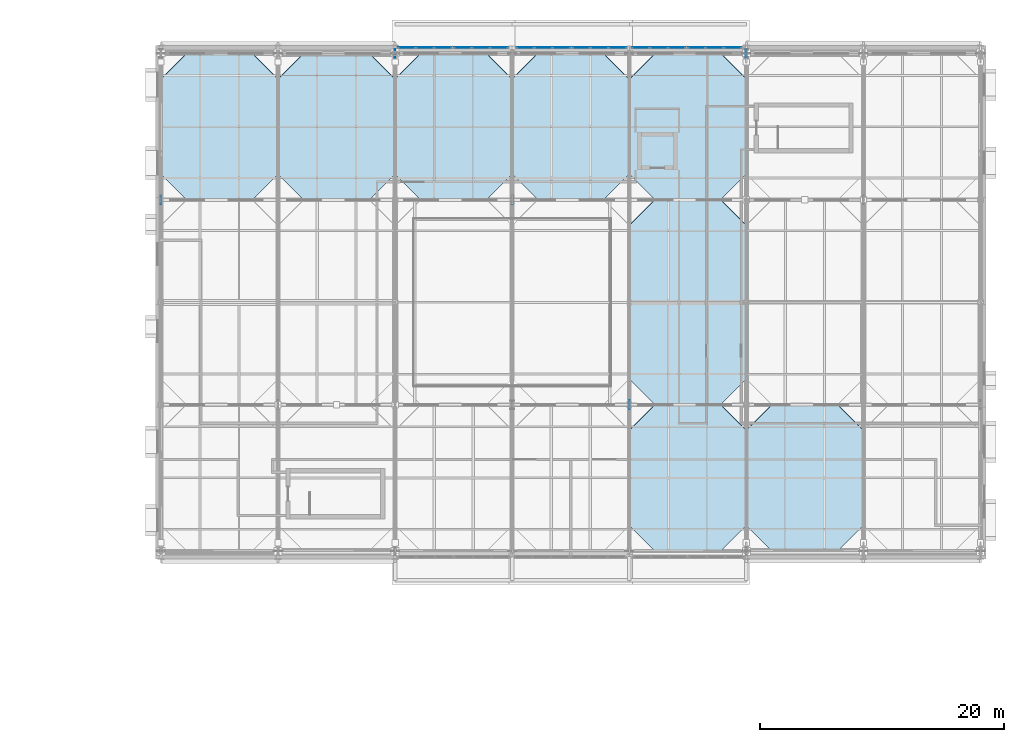
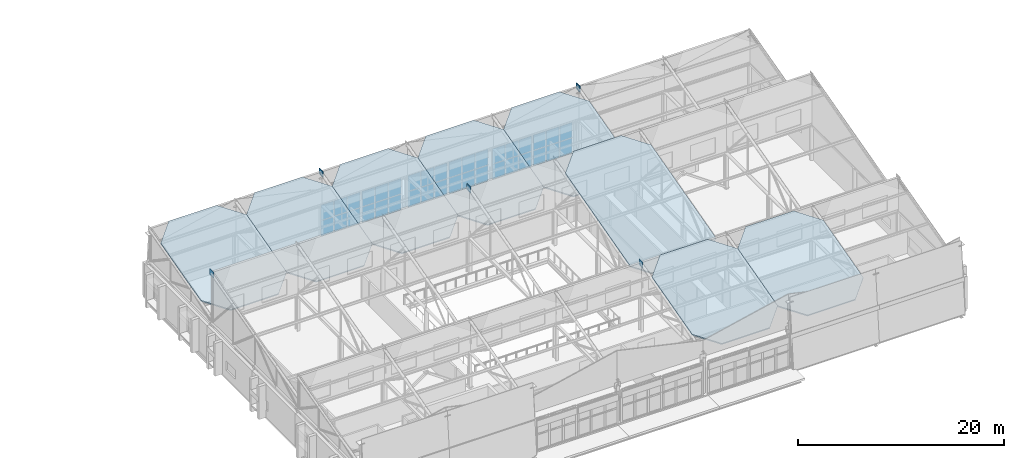
# One storey, part 62 of 89: 41 plates, 8 slabs, 7 elements without a shape of their own.
"""IFC4 building model written with IfcOpenShell, lengths in metres."""

from ifc_helpers import new_model, si_unit, direction, frame, origin, origin_2d, place, context, subcontext, project, spatial, polyline, rectangle, outline, extrude, material, layer, layer_set, type_object, element, aggregate, save


model = new_model("IFC4")

# Units and contexts
model_context = context("Model", 3, precision=1e-05, world=origin(), true_north=direction((0.0, 1.0)))
body_context = subcontext(model_context, "Body", "Model", "MODEL_VIEW")
ifc_project = project(units=[si_unit("LENGTHUNIT", "METRE"), si_unit("AREAUNIT", "SQUARE_METRE"), si_unit("VOLUMEUNIT", "CUBIC_METRE"), si_unit("PLANEANGLEUNIT", "RADIAN"), si_unit("MASSUNIT", "GRAM", prefix="KILO")], contexts=[model_context])

# Site, building, storey
site_placement = place(None, origin())
site = spatial("IfcSite", under=ifc_project, at=site_placement, CompositionType="ELEMENT")
building_placement = place(site_placement, origin())
building = spatial("IfcBuilding", under=site, at=building_placement, Name="Zereglee Splitstone Museum", CompositionType="ELEMENT")
storey_placement = place(building_placement, frame((0.0, 0.0, 21.300048828125)))
storey = spatial("IfcBuildingStorey", under=building, at=storey_placement, Name="L04", CompositionType="ELEMENT", Elevation=21.300048828125)

# Curtain wall, plates
ifc_material_1 = material(Name="Triple-glazed low-E argon glass and bronze-anodised aluminium", Category="aluminium")
ifc_layer_1 = layer(ifc_material_1, 0.219970703125)
ifc_layer_set_1 = layer_set([ifc_layer_1], Name="Triple-glazed low-E argon glass and bronze-anodised aluminium")
curtain_wall_type_1 = type_object("IfcCurtainWallType", Name="CW-0449-378", PredefinedType="USERDEFINED", material=ifc_layer_set_1)
curtain_wall_1_placement = place(storey_placement, origin())
curtain_wall_1 = element("IfcCurtainWall", 1, at=curtain_wall_1_placement, inside=storey, type_object=curtain_wall_type_1, Name="Glazed Curtain Wall CW-0449-378 (L04)", ObjectType="GLAZED CURTAIN WALL", PredefinedType="USERDEFINED")
ifc_material_2 = material(Name="Triple low-e argon insulated safety glass", Category="glass")
ifc_layer_2 = layer(ifc_material_2, 0.035888671875)
ifc_layer_set_2 = layer_set([ifc_layer_2], Name="Triple low-e argon insulated safety glass")
plate_type_1 = type_object("IfcPlateType", Name="CWP-01", PredefinedType="CURTAIN_PANEL", material=ifc_layer_set_2)
plate_1_placement = place(storey_placement, frame((124.87548828125, 50.8798828125, 0.07470703125), z_axis=(0.0, 0.0, 1.0), x_axis=(-1.0, 0.0, 0.0)))
plate_1 = element("IfcPlate", 2, at=plate_1_placement, type_object=plate_type_1, Name="CW-0449-378 panel 1.1", PredefinedType="CURTAIN_PANEL", context=body_context, shape_type="SweptSolid", body=[
    extrude(rectangle(XDim=1.383056640625, YDim=0.035888671875, at=origin_2d()), origin(), (0.0, 0.0, 1.0), 1.777587890625),
])
plate_2_placement = place(storey_placement, frame((124.87548828125, 50.8798828125, 1.92724609375), z_axis=(0.0, 0.0, 1.0), x_axis=(-1.0, 0.0, 0.0)))
plate_2 = element("IfcPlate", 3, at=plate_2_placement, type_object=plate_type_1, Name="CW-0449-378 panel 1.2", PredefinedType="CURTAIN_PANEL", context=body_context, shape_type="SweptSolid", body=[
    extrude(rectangle(XDim=1.383056640625, YDim=0.035888671875, at=origin_2d()), origin(), (0.0, 0.0, 1.0), 1.777587890625),
])
plate_3_placement = place(storey_placement, frame((123.3984375, 50.8798828125, 0.07470703125), z_axis=(0.0, 0.0, 1.0), x_axis=(-1.0, 0.0, 0.0)))
plate_3 = element("IfcPlate", 4, at=plate_3_placement, type_object=plate_type_1, Name="CW-0449-378 panel 2.1", PredefinedType="CURTAIN_PANEL", context=body_context, shape_type="SweptSolid", body=[
    extrude(rectangle(XDim=1.420654296875, YDim=0.035888671875, at=origin_2d()), origin(), (0.0, 0.0, 1.0), 1.777587890625),
])
plate_4_placement = place(storey_placement, frame((123.3984375, 50.8798828125, 1.92724609375), z_axis=(0.0, 0.0, 1.0), x_axis=(-1.0, 0.0, 0.0)))
plate_4 = element("IfcPlate", 5, at=plate_4_placement, type_object=plate_type_1, Name="CW-0449-378 panel 2.2", PredefinedType="CURTAIN_PANEL", context=body_context, shape_type="SweptSolid", body=[
    extrude(rectangle(XDim=1.420654296875, YDim=0.035888671875, at=origin_2d()), origin(), (0.0, 0.0, 1.0), 1.777587890625),
])
plate_5_placement = place(storey_placement, frame((121.921630859375, 50.8798828125, 0.07470703125), z_axis=(0.0, 0.0, 1.0), x_axis=(-1.0, 0.0, 0.0)))
plate_5 = element("IfcPlate", 6, at=plate_5_placement, type_object=plate_type_1, Name="CW-0449-378 panel 3.1", PredefinedType="CURTAIN_PANEL", context=body_context, shape_type="SweptSolid", body=[
    extrude(rectangle(XDim=1.383056640625, YDim=0.035888671875, at=origin_2d()), origin(), (0.0, 0.0, 1.0), 1.777587890625),
])
plate_6_placement = place(storey_placement, frame((121.921630859375, 50.8798828125, 1.92724609375), z_axis=(0.0, 0.0, 1.0), x_axis=(-1.0, 0.0, 0.0)))
plate_6 = element("IfcPlate", 7, at=plate_6_placement, type_object=plate_type_1, Name="CW-0449-378 panel 3.2", PredefinedType="CURTAIN_PANEL", context=body_context, shape_type="SweptSolid", body=[
    extrude(rectangle(XDim=1.383056640625, YDim=0.035888671875, at=origin_2d()), origin(), (0.0, 0.0, 1.0), 1.777587890625),
])
aggregate(curtain_wall_1, [plate_1, plate_2, plate_3, plate_4, plate_5, plate_6])

ifc_layer_3 = layer(ifc_material_1, 0.219970703125)
ifc_layer_set_3 = layer_set([ifc_layer_3], Name="Triple-glazed low-E argon glass and bronze-anodised aluminium")
curtain_wall_type_2 = type_object("IfcCurtainWallType", Name="CW-0449-376", PredefinedType="USERDEFINED", material=ifc_layer_set_3)
curtain_wall_2_placement = place(storey_placement, origin())
curtain_wall_2 = element("IfcCurtainWall", 8, at=curtain_wall_2_placement, inside=storey, type_object=curtain_wall_type_2, Name="Glazed Curtain Wall CW-0449-376 (L04)", ObjectType="GLAZED CURTAIN WALL", PredefinedType="USERDEFINED")
plate_7_placement = place(storey_placement, frame((120.308349609375, 50.8798828125, 0.074951171875), z_axis=(0.0, 0.0, 1.0), x_axis=(-1.0, 0.0, 0.0)))
plate_7 = element("IfcPlate", 9, at=plate_7_placement, type_object=plate_type_1, Name="CW-0449-376 panel 1.1", PredefinedType="CURTAIN_PANEL", context=body_context, shape_type="SweptSolid", body=[
    extrude(rectangle(XDim=1.383056640625, YDim=0.035888671875, at=origin_2d()), origin(), (0.0, 0.0, 1.0), 1.767578125),
])
plate_8_placement = place(storey_placement, frame((120.308349609375, 50.8798828125, 1.91748046875), z_axis=(0.0, 0.0, 1.0), x_axis=(-1.0, 0.0, 0.0)))
plate_8 = element("IfcPlate", 10, at=plate_8_placement, type_object=plate_type_1, Name="CW-0449-376 panel 1.2", PredefinedType="CURTAIN_PANEL", context=body_context, shape_type="SweptSolid", body=[
    extrude(rectangle(XDim=1.383056640625, YDim=0.035888671875, at=origin_2d()), origin(), (0.0, 0.0, 1.0), 1.767578125),
])
plate_9_placement = place(storey_placement, frame((118.83154296875, 50.8798828125, 0.074951171875), z_axis=(0.0, 0.0, 1.0), x_axis=(-1.0, 0.0, 0.0)))
plate_9 = element("IfcPlate", 11, at=plate_9_placement, type_object=plate_type_1, Name="CW-0449-376 panel 2.1", PredefinedType="CURTAIN_PANEL", context=body_context, shape_type="SweptSolid", body=[
    extrude(rectangle(XDim=1.420654296875, YDim=0.035888671875, at=origin_2d()), origin(), (0.0, 0.0, 1.0), 1.767578125),
])
plate_10_placement = place(storey_placement, frame((118.83154296875, 50.8798828125, 1.91748046875), z_axis=(0.0, 0.0, 1.0), x_axis=(-1.0, 0.0, 0.0)))
plate_10 = element("IfcPlate", 12, at=plate_10_placement, type_object=plate_type_1, Name="CW-0449-376 panel 2.2", PredefinedType="CURTAIN_PANEL", context=body_context, shape_type="SweptSolid", body=[
    extrude(rectangle(XDim=1.420654296875, YDim=0.035888671875, at=origin_2d()), origin(), (0.0, 0.0, 1.0), 1.767578125),
])
plate_11_placement = place(storey_placement, frame((117.3544921875, 50.8798828125, 0.074951171875), z_axis=(0.0, 0.0, 1.0), x_axis=(-1.0, 0.0, 0.0)))
plate_11 = element("IfcPlate", 13, at=plate_11_placement, type_object=plate_type_1, Name="CW-0449-376 panel 3.1", PredefinedType="CURTAIN_PANEL", context=body_context, shape_type="SweptSolid", body=[
    extrude(rectangle(XDim=1.383056640625, YDim=0.035888671875, at=origin_2d()), origin(), (0.0, 0.0, 1.0), 1.767578125),
])
plate_12_placement = place(storey_placement, frame((117.3544921875, 50.8798828125, 1.91748046875), z_axis=(0.0, 0.0, 1.0), x_axis=(-1.0, 0.0, 0.0)))
plate_12 = element("IfcPlate", 14, at=plate_12_placement, type_object=plate_type_1, Name="CW-0449-376 panel 3.2", PredefinedType="CURTAIN_PANEL", context=body_context, shape_type="SweptSolid", body=[
    extrude(rectangle(XDim=1.383056640625, YDim=0.035888671875, at=origin_2d()), origin(), (0.0, 0.0, 1.0), 1.767578125),
])
aggregate(curtain_wall_2, [plate_7, plate_8, plate_9, plate_10, plate_11, plate_12])

ifc_layer_4 = layer(ifc_material_1, 0.219970703125)
ifc_layer_set_4 = layer_set([ifc_layer_4], Name="Triple-glazed low-E argon glass and bronze-anodised aluminium")
curtain_wall_type_3 = type_object("IfcCurtainWallType", Name="CW-0451-390", PredefinedType="USERDEFINED", material=ifc_layer_set_4)
curtain_wall_3_placement = place(storey_placement, origin())
curtain_wall_3 = element("IfcCurtainWall", 15, at=curtain_wall_3_placement, inside=storey, type_object=curtain_wall_type_3, Name="Glazed Curtain Wall CW-0451-390 (L04)", ObjectType="GLAZED CURTAIN WALL", PredefinedType="USERDEFINED")
plate_13_placement = place(storey_placement, frame((115.441162109375, 50.8798828125, 0.074951171875), z_axis=(0.0, 0.0, 1.0), x_axis=(-1.0, 0.0, 0.0)))
plate_13 = element("IfcPlate", 16, at=plate_13_placement, type_object=plate_type_1, Name="CW-0451-390 panel 1.1", PredefinedType="CURTAIN_PANEL", context=body_context, shape_type="SweptSolid", body=[
    extrude(rectangle(XDim=1.3916015625, YDim=0.035888671875, at=origin_2d()), origin(), (0.0, 0.0, 1.0), 1.83740234375),
])
plate_14_placement = place(storey_placement, frame((115.441162109375, 50.8798828125, 1.987548828125), z_axis=(0.0, 0.0, 1.0), x_axis=(-1.0, 0.0, 0.0)))
plate_14 = element("IfcPlate", 17, at=plate_14_placement, type_object=plate_type_1, Name="CW-0451-390 panel 1.2", PredefinedType="CURTAIN_PANEL", context=body_context, shape_type="SweptSolid", body=[
    extrude(rectangle(XDim=1.3916015625, YDim=0.035888671875, at=origin_2d()), origin(), (0.0, 0.0, 1.0), 1.83740234375),
])
plate_15_placement = place(storey_placement, frame((113.9560546875, 50.8798828125, 0.074951171875), z_axis=(0.0, 0.0, 1.0), x_axis=(-1.0, 0.0, 0.0)))
plate_15 = element("IfcPlate", 18, at=plate_15_placement, type_object=plate_type_1, Name="CW-0451-390 panel 2.1", PredefinedType="CURTAIN_PANEL", context=body_context, shape_type="SweptSolid", body=[
    extrude(rectangle(XDim=1.428955078125, YDim=0.035888671875, at=origin_2d()), origin(), (0.0, 0.0, 1.0), 1.83740234375),
])
plate_16_placement = place(storey_placement, frame((113.9560546875, 50.8798828125, 1.987548828125), z_axis=(0.0, 0.0, 1.0), x_axis=(-1.0, 0.0, 0.0)))
plate_16 = element("IfcPlate", 19, at=plate_16_placement, type_object=plate_type_1, Name="CW-0451-390 panel 2.2", PredefinedType="CURTAIN_PANEL", context=body_context, shape_type="SweptSolid", body=[
    extrude(rectangle(XDim=1.428955078125, YDim=0.035888671875, at=origin_2d()), origin(), (0.0, 0.0, 1.0), 1.83740234375),
])
plate_17_placement = place(storey_placement, frame((112.470703125, 50.8798828125, 0.074951171875), z_axis=(0.0, 0.0, 1.0), x_axis=(-1.0, 0.0, 0.0)))
plate_17 = element("IfcPlate", 20, at=plate_17_placement, type_object=plate_type_1, Name="CW-0451-390 panel 3.1", PredefinedType="CURTAIN_PANEL", context=body_context, shape_type="SweptSolid", body=[
    extrude(rectangle(XDim=1.3916015625, YDim=0.035888671875, at=origin_2d()), origin(), (0.0, 0.0, 1.0), 1.83740234375),
])
plate_18_placement = place(storey_placement, frame((112.470703125, 50.8798828125, 1.987548828125), z_axis=(0.0, 0.0, 1.0), x_axis=(-1.0, 0.0, 0.0)))
plate_18 = element("IfcPlate", 21, at=plate_18_placement, type_object=plate_type_1, Name="CW-0451-390 panel 3.2", PredefinedType="CURTAIN_PANEL", context=body_context, shape_type="SweptSolid", body=[
    extrude(rectangle(XDim=1.3916015625, YDim=0.035888671875, at=origin_2d()), origin(), (0.0, 0.0, 1.0), 1.83740234375),
])
aggregate(curtain_wall_3, [plate_13, plate_14, plate_15, plate_16, plate_17, plate_18])

ifc_layer_5 = layer(ifc_material_1, 0.219970703125)
ifc_layer_set_5 = layer_set([ifc_layer_5], Name="Triple-glazed low-E argon glass and bronze-anodised aluminium")
curtain_wall_type_4 = type_object("IfcCurtainWallType", Name="CW-0451-388", PredefinedType="USERDEFINED", material=ifc_layer_set_5)
curtain_wall_4_placement = place(storey_placement, origin())
curtain_wall_4 = element("IfcCurtainWall", 22, at=curtain_wall_4_placement, inside=storey, type_object=curtain_wall_type_4, Name="Glazed Curtain Wall CW-0451-388 (L04)", ObjectType="GLAZED CURTAIN WALL", PredefinedType="USERDEFINED")
plate_19_placement = place(storey_placement, frame((110.849365234375, 50.8798828125, 0.0751953125), z_axis=(0.0, 0.0, 1.0), x_axis=(-1.0, 0.0, 0.0)))
plate_19 = element("IfcPlate", 23, at=plate_19_placement, type_object=plate_type_1, Name="CW-0451-388 panel 1.1", PredefinedType="CURTAIN_PANEL", context=body_context, shape_type="SweptSolid", body=[
    extrude(rectangle(XDim=1.3916015625, YDim=0.035888671875, at=origin_2d()), origin(), (0.0, 0.0, 1.0), 1.827392578125),
])
plate_20_placement = place(storey_placement, frame((110.849365234375, 50.8798828125, 1.9775390625), z_axis=(0.0, 0.0, 1.0), x_axis=(-1.0, 0.0, 0.0)))
plate_20 = element("IfcPlate", 24, at=plate_20_placement, type_object=plate_type_1, Name="CW-0451-388 panel 1.2", PredefinedType="CURTAIN_PANEL", context=body_context, shape_type="SweptSolid", body=[
    extrude(rectangle(XDim=1.3916015625, YDim=0.035888671875, at=origin_2d()), origin(), (0.0, 0.0, 1.0), 1.827392578125),
])
plate_21_placement = place(storey_placement, frame((109.364013671875, 50.8798828125, 0.0751953125), z_axis=(0.0, 0.0, 1.0), x_axis=(-1.0, 0.0, 0.0)))
plate_21 = element("IfcPlate", 25, at=plate_21_placement, type_object=plate_type_1, Name="CW-0451-388 panel 2.1", PredefinedType="CURTAIN_PANEL", context=body_context, shape_type="SweptSolid", body=[
    extrude(rectangle(XDim=1.428955078125, YDim=0.035888671875, at=origin_2d()), origin(), (0.0, 0.0, 1.0), 1.827392578125),
])
plate_22_placement = place(storey_placement, frame((109.364013671875, 50.8798828125, 1.9775390625), z_axis=(0.0, 0.0, 1.0), x_axis=(-1.0, 0.0, 0.0)))
plate_22 = element("IfcPlate", 26, at=plate_22_placement, type_object=plate_type_1, Name="CW-0451-388 panel 2.2", PredefinedType="CURTAIN_PANEL", context=body_context, shape_type="SweptSolid", body=[
    extrude(rectangle(XDim=1.428955078125, YDim=0.035888671875, at=origin_2d()), origin(), (0.0, 0.0, 1.0), 1.827392578125),
])
plate_23_placement = place(storey_placement, frame((107.878662109375, 50.8798828125, 0.0751953125), z_axis=(0.0, 0.0, 1.0), x_axis=(-1.0, 0.0, 0.0)))
plate_23 = element("IfcPlate", 27, at=plate_23_placement, type_object=plate_type_1, Name="CW-0451-388 panel 3.1", PredefinedType="CURTAIN_PANEL", context=body_context, shape_type="SweptSolid", body=[
    extrude(rectangle(XDim=1.3916015625, YDim=0.035888671875, at=origin_2d()), origin(), (0.0, 0.0, 1.0), 1.827392578125),
])
plate_24_placement = place(storey_placement, frame((107.878662109375, 50.8798828125, 1.9775390625), z_axis=(0.0, 0.0, 1.0), x_axis=(-1.0, 0.0, 0.0)))
plate_24 = element("IfcPlate", 28, at=plate_24_placement, type_object=plate_type_1, Name="CW-0451-388 panel 3.2", PredefinedType="CURTAIN_PANEL", context=body_context, shape_type="SweptSolid", body=[
    extrude(rectangle(XDim=1.3916015625, YDim=0.035888671875, at=origin_2d()), origin(), (0.0, 0.0, 1.0), 1.827392578125),
])
aggregate(curtain_wall_4, [plate_19, plate_20, plate_21, plate_22, plate_23, plate_24])

ifc_layer_6 = layer(ifc_material_1, 0.219970703125)
ifc_layer_set_6 = layer_set([ifc_layer_6], Name="Triple-glazed low-E argon glass and bronze-anodised aluminium")
curtain_wall_type_5 = type_object("IfcCurtainWallType", Name="CW-0451-384", PredefinedType="USERDEFINED", material=ifc_layer_set_6)
curtain_wall_5_placement = place(storey_placement, origin())
curtain_wall_5 = element("IfcCurtainWall", 29, at=curtain_wall_5_placement, inside=storey, type_object=curtain_wall_type_5, Name="Glazed Curtain Wall CW-0451-384 (L04)", ObjectType="GLAZED CURTAIN WALL", PredefinedType="USERDEFINED")
plate_25_placement = place(storey_placement, frame((105.720947265625, 50.8798828125, 0.074951171875), z_axis=(0.0, 0.0, 1.0), x_axis=(-1.0, 0.0, 0.0)))
plate_25 = element("IfcPlate", 30, at=plate_25_placement, type_object=plate_type_1, Name="CW-0451-384 panel 1.1", PredefinedType="CURTAIN_PANEL", context=body_context, shape_type="SweptSolid", body=[
    extrude(rectangle(XDim=1.392333984375, YDim=0.035888671875, at=origin_2d()), origin(), (0.0, 0.0, 1.0), 1.8076171875),
])
plate_26_placement = place(storey_placement, frame((105.720947265625, 50.8798828125, 1.957275390625), z_axis=(0.0, 0.0, 1.0), x_axis=(-1.0, 0.0, 0.0)))
plate_26 = element("IfcPlate", 31, at=plate_26_placement, type_object=plate_type_1, Name="CW-0451-384 panel 1.2", PredefinedType="CURTAIN_PANEL", context=body_context, shape_type="SweptSolid", body=[
    extrude(rectangle(XDim=1.392333984375, YDim=0.035888671875, at=origin_2d()), origin(), (0.0, 0.0, 1.0), 1.8076171875),
])
plate_27_placement = place(storey_placement, frame((104.23486328125, 50.8798828125, 0.074951171875), z_axis=(0.0, 0.0, 1.0), x_axis=(-1.0, 0.0, 0.0)))
plate_27 = element("IfcPlate", 32, at=plate_27_placement, type_object=plate_type_1, Name="CW-0451-384 panel 2.1", PredefinedType="CURTAIN_PANEL", context=body_context, shape_type="SweptSolid", body=[
    extrude(rectangle(XDim=1.429931640625, YDim=0.035888671875, at=origin_2d()), origin(), (0.0, 0.0, 1.0), 1.8076171875),
])
plate_28_placement = place(storey_placement, frame((104.23486328125, 50.8798828125, 1.957275390625), z_axis=(0.0, 0.0, 1.0), x_axis=(-1.0, 0.0, 0.0)))
plate_28 = element("IfcPlate", 33, at=plate_28_placement, type_object=plate_type_1, Name="CW-0451-384 panel 2.2", PredefinedType="CURTAIN_PANEL", context=body_context, shape_type="SweptSolid", body=[
    extrude(rectangle(XDim=1.429931640625, YDim=0.035888671875, at=origin_2d()), origin(), (0.0, 0.0, 1.0), 1.8076171875),
])
plate_29_placement = place(storey_placement, frame((102.748779296875, 50.8798828125, 0.074951171875), z_axis=(0.0, 0.0, 1.0), x_axis=(-1.0, 0.0, 0.0)))
plate_29 = element("IfcPlate", 34, at=plate_29_placement, type_object=plate_type_1, Name="CW-0451-384 panel 3.1", PredefinedType="CURTAIN_PANEL", context=body_context, shape_type="SweptSolid", body=[
    extrude(rectangle(XDim=1.392333984375, YDim=0.035888671875, at=origin_2d()), origin(), (0.0, 0.0, 1.0), 1.8076171875),
])
plate_30_placement = place(storey_placement, frame((102.748779296875, 50.8798828125, 1.957275390625), z_axis=(0.0, 0.0, 1.0), x_axis=(-1.0, 0.0, 0.0)))
plate_30 = element("IfcPlate", 35, at=plate_30_placement, type_object=plate_type_1, Name="CW-0451-384 panel 3.2", PredefinedType="CURTAIN_PANEL", context=body_context, shape_type="SweptSolid", body=[
    extrude(rectangle(XDim=1.392333984375, YDim=0.035888671875, at=origin_2d()), origin(), (0.0, 0.0, 1.0), 1.8076171875),
])
aggregate(curtain_wall_5, [plate_25, plate_26, plate_27, plate_28, plate_29, plate_30])

ifc_layer_7 = layer(ifc_material_1, 0.219970703125)
ifc_layer_set_7 = layer_set([ifc_layer_7], Name="Triple-glazed low-E argon glass and bronze-anodised aluminium")
curtain_wall_type_6 = type_object("IfcCurtainWallType", Name="CW-0451-382", PredefinedType="USERDEFINED", material=ifc_layer_set_7)
curtain_wall_6_placement = place(storey_placement, origin())
curtain_wall_6 = element("IfcCurtainWall", 36, at=curtain_wall_6_placement, inside=storey, type_object=curtain_wall_type_6, Name="Glazed Curtain Wall CW-0451-382 (L04)", ObjectType="GLAZED CURTAIN WALL", PredefinedType="USERDEFINED")
plate_31_placement = place(storey_placement, frame((101.126220703125, 50.8798828125, 0.07470703125), z_axis=(0.0, 0.0, 1.0), x_axis=(-1.0, 0.0, 0.0)))
plate_31 = element("IfcPlate", 37, at=plate_31_placement, type_object=plate_type_1, Name="CW-0451-382 panel 1.1", PredefinedType="CURTAIN_PANEL", context=body_context, shape_type="SweptSolid", body=[
    extrude(rectangle(XDim=1.392333984375, YDim=0.035888671875, at=origin_2d()), origin(), (0.0, 0.0, 1.0), 1.797607421875),
])
plate_32_placement = place(storey_placement, frame((101.126220703125, 50.8798828125, 1.947265625), z_axis=(0.0, 0.0, 1.0), x_axis=(-1.0, 0.0, 0.0)))
plate_32 = element("IfcPlate", 38, at=plate_32_placement, type_object=plate_type_1, Name="CW-0451-382 panel 1.2", PredefinedType="CURTAIN_PANEL", context=body_context, shape_type="SweptSolid", body=[
    extrude(rectangle(XDim=1.392333984375, YDim=0.035888671875, at=origin_2d()), origin(), (0.0, 0.0, 1.0), 1.797607421875),
])
plate_33_placement = place(storey_placement, frame((99.64013671875, 50.8798828125, 0.07470703125), z_axis=(0.0, 0.0, 1.0), x_axis=(-1.0, 0.0, 0.0)))
plate_33 = element("IfcPlate", 39, at=plate_33_placement, type_object=plate_type_1, Name="CW-0451-382 panel 2.1", PredefinedType="CURTAIN_PANEL", context=body_context, shape_type="SweptSolid", body=[
    extrude(rectangle(XDim=1.429931640625, YDim=0.035888671875, at=origin_2d()), origin(), (0.0, 0.0, 1.0), 1.797607421875),
])
plate_34_placement = place(storey_placement, frame((99.64013671875, 50.8798828125, 1.947265625), z_axis=(0.0, 0.0, 1.0), x_axis=(-1.0, 0.0, 0.0)))
plate_34 = element("IfcPlate", 40, at=plate_34_placement, type_object=plate_type_1, Name="CW-0451-382 panel 2.2", PredefinedType="CURTAIN_PANEL", context=body_context, shape_type="SweptSolid", body=[
    extrude(rectangle(XDim=1.429931640625, YDim=0.035888671875, at=origin_2d()), origin(), (0.0, 0.0, 1.0), 1.797607421875),
])
plate_35_placement = place(storey_placement, frame((98.154052734375, 50.8798828125, 0.07470703125), z_axis=(0.0, 0.0, 1.0), x_axis=(-1.0, 0.0, 0.0)))
plate_35 = element("IfcPlate", 41, at=plate_35_placement, type_object=plate_type_1, Name="CW-0451-382 panel 3.1", PredefinedType="CURTAIN_PANEL", context=body_context, shape_type="SweptSolid", body=[
    extrude(rectangle(XDim=1.392333984375, YDim=0.035888671875, at=origin_2d()), origin(), (0.0, 0.0, 1.0), 1.797607421875),
])
plate_36_placement = place(storey_placement, frame((98.154052734375, 50.8798828125, 1.947265625), z_axis=(0.0, 0.0, 1.0), x_axis=(-1.0, 0.0, 0.0)))
plate_36 = element("IfcPlate", 42, at=plate_36_placement, type_object=plate_type_1, Name="CW-0451-382 panel 3.2", PredefinedType="CURTAIN_PANEL", context=body_context, shape_type="SweptSolid", body=[
    extrude(rectangle(XDim=1.392333984375, YDim=0.035888671875, at=origin_2d()), origin(), (0.0, 0.0, 1.0), 1.797607421875),
])
aggregate(curtain_wall_6, [plate_31, plate_32, plate_33, plate_34, plate_35, plate_36])

# Plates
ifc_material_3 = material(Name="Steel S355J2", Category="steel")
ifc_layer_8 = layer(ifc_material_3, 0.06005859375)
ifc_layer_set_8 = layer_set([ifc_layer_8], Name="Steel S355J2")
plate_type_2 = type_object("IfcPlateType", Name="NP-01", PredefinedType="SHEET", material=ifc_layer_set_8)
for number, where, z_axis, x_axis, name in (
    (43, (78.0, 38.39990234375, 9.68994140625), (0.0, 0.0, 1.0), (1.0, 0.0, 0.0), "Sawtooth Truss Node Plate TN-01-2.4"),
    (44, (97.199951171875, 50.39990234375, 7.58984375), (0.0, 0.0, 1.0), (1.0, 0.0, 0.0), "Sawtooth Truss Node Plate TN-03-3.3"),
    (45, (106.800048828125, 38.39990234375, 9.68994140625), (0.0, 0.0, 1.0), (1.0, 0.0, 0.0), "Sawtooth Truss Node Plate TN-04-2.4"),
    (46, (116.39990234375, 21.60009765625, 7.58984375), (0.0, 0.0, 1.0), (1.0, 0.0, 0.0), "Sawtooth Truss Node Plate TN-05-1.3"),
    (47, (126.0, 50.39990234375, 7.58984375), (0.0, 0.0, 1.0), (1.0, 0.0, 0.0), "Sawtooth Truss Node Plate TN-06-3.3"),
):
    element("IfcPlate", number, at=place(storey_placement, frame(where, z_axis=z_axis, x_axis=x_axis)), inside=storey, type_object=plate_type_2, Name=name, PredefinedType="SHEET", context=body_context, shape_type="SweptSolid", body=[
        extrude(rectangle(XDim=0.06005859375, YDim=0.719970703125, at=origin_2d()), origin(), (0.0, 0.0, 1.0), 0.719970703125),
    ])

# Roof, slabs
ifc_material_4 = material(Name="Standing-seam zinc roofing on Concrete C35/45", Category="concrete")
ifc_layer_9 = layer(ifc_material_4, 0.219970703125)
ifc_layer_set_9 = layer_set([ifc_layer_9], Name="Concrete C35/45")
roof_type = type_object("IfcRoofType", Name="RF-A1", PredefinedType="SHED_ROOF", material=ifc_layer_set_9)
roof_placement = place(storey_placement, origin())
roof = element("IfcRoof", 48, at=roof_placement, inside=storey, type_object=roof_type, Name="Seven-Bay North-Light Sawtooth Roof Assembly V2", PredefinedType="SHED_ROOF")
ifc_material_5 = material(Name="Concrete C35/45", Category="concrete")
ifc_layer_10 = layer(ifc_material_5, 0.159912109375)
ifc_layer_set_10 = layer_set([ifc_layer_10], Name="Concrete C35/45")
slab_type = type_object("IfcSlabType", Name="RS-06", PredefinedType="ROOF", material=ifc_layer_set_10)
slab_1_placement = place(storey_placement, frame((80.112060546875, 38.39990234375, 5.0), z_axis=(0.0, -0.257656921176, 0.966236467419), x_axis=(1.0, 0.0, 0.0)))
slab_1 = element("IfcSlab", 49, at=slab_1_placement, type_object=slab_type, Name="Sawtooth Roof Slab Bay 1 Shed 3", PredefinedType="ROOF", context=body_context, shape_type="SweptSolid", body=[
    extrude(outline(polyline([(0.0, 0.0), (5.3759765625, 0.0), (7.488037109375, 2.1858706535140895), (7.488037109375, 10.233692419946298), (5.3759765625, 12.419327175885332), (0.0, 12.419327175885332), (-2.112060546875, 10.233692419946298), (-2.112060546875, 2.1858706535140895), (0.0, 0.0)])), origin(), (0.0, 0.0, -1.0), 0.159912109375),
])
slab_2_placement = place(storey_placement, frame((89.7119140625, 38.39990234375, 5.0), z_axis=(0.0, -0.257656921248, 0.9662364674), x_axis=(1.0, 0.0, 0.0)))
slab_2 = element("IfcSlab", 50, at=slab_2_placement, type_object=slab_type, Name="Sawtooth Roof Slab Bay 2 Shed 3", PredefinedType="ROOF", context=body_context, shape_type="SweptSolid", body=[
    extrude(outline(polyline([(0.0, 0.0), (5.3759765625, 0.0), (7.488037109375, 2.1858706535140913), (7.488037109375, 10.233692419946292), (5.3759765625, 12.419327175885334), (0.0, 12.419327175885334), (-2.11181640625, 10.233692419946292), (-2.11181640625, 2.1858706535140913), (0.0, 0.0)])), origin(), (0.0, 0.0, -1.0), 0.159912109375),
])
slab_3_placement = place(storey_placement, frame((99.31201171875, 38.39990234375, 5.0), z_axis=(0.0, -0.257656921176, 0.966236467419), x_axis=(1.0, 0.0, 0.0)))
slab_3 = element("IfcSlab", 51, at=slab_3_placement, type_object=slab_type, Name="Sawtooth Roof Slab Bay 3 Shed 3", PredefinedType="ROOF", context=body_context, shape_type="SweptSolid", body=[
    extrude(outline(polyline([(0.0, 0.0), (5.3759765625, 0.0), (7.488037109375, 2.1858706535140895), (7.488037109375, 10.233692419946298), (5.3759765625, 12.419327175885332), (0.0, 12.419327175885332), (-2.112060546875, 10.233692419946298), (-2.112060546875, 2.1858706535140895), (0.0, 0.0)])), origin(), (0.0, 0.0, -1.0), 0.159912109375),
])
slab_4_placement = place(storey_placement, frame((108.912109375, 38.39990234375, 5.0), z_axis=(0.0, -0.257656921248, 0.9662364674), x_axis=(1.0, 0.0, 0.0)))
slab_4 = element("IfcSlab", 52, at=slab_4_placement, type_object=slab_type, Name="Sawtooth Roof Slab Bay 4 Shed 3", PredefinedType="ROOF", context=body_context, shape_type="SweptSolid", body=[
    extrude(outline(polyline([(0.0, 0.0), (5.3759765625, 0.0), (7.48779296875, 2.1858706535140913), (7.48779296875, 10.233692419946292), (5.3759765625, 12.419327175885334), (0.0, 12.419327175885334), (-2.112060546875, 10.233692419946292), (-2.112060546875, 2.1858706535140913), (0.0, 0.0)])), origin(), (0.0, 0.0, -1.0), 0.159912109375),
])
slab_5_placement = place(storey_placement, frame((118.511962890625, 9.60009765625, 5.0), z_axis=(0.0, -0.257656921176, 0.966236467419), x_axis=(1.0, 0.0, 0.0)))
slab_5 = element("IfcSlab", 53, at=slab_5_placement, type_object=slab_type, Name="Sawtooth Roof Slab Bay 5 Shed 1", PredefinedType="ROOF", context=body_context, shape_type="SweptSolid", body=[
    extrude(outline(polyline([(0.0, 0.0), (5.3759765625, 0.0), (7.488037109375, 2.1856347559390357), (7.488037109375, 10.233456522371243), (5.3759765625, 12.419327175885332), (0.0, 12.419327175885332), (-2.112060546875, 10.233456522371243), (-2.112060546875, 2.1856347559390357), (0.0, 0.0)])), origin(), (0.0, 0.0, -1.0), 0.159912109375),
])
slab_6_placement = place(storey_placement, frame((118.511962890625, 21.60009765625, 5.800048828125), z_axis=(0.0, -0.258735788064, 0.9659481311), x_axis=(1.0, 0.0, 0.0)))
slab_6 = element("IfcSlab", 54, at=slab_6_placement, type_object=slab_type, Name="Sawtooth Roof Slab Bay 5 Shed 2", PredefinedType="ROOF", context=body_context, shape_type="SweptSolid", body=[
    extrude(outline(polyline([(0.0, 0.0), (5.3759765625, 0.0), (7.488037109375, 2.1862651745498622), (7.488037109375, 15.205722644550846), (5.3759765625, 17.392050987017715), (0.0, 17.392050987017715), (-2.112060546875, 15.205722644550846), (-2.112060546875, 2.1862651745498622), (0.0, 0.0)])), origin(), (0.0, 0.0, -1.0), 0.159912109375),
])
slab_7_placement = place(storey_placement, frame((118.511962890625, 38.39990234375, 5.0), z_axis=(0.0, -0.257656921176, 0.966236467419), x_axis=(1.0, 0.0, 0.0)))
slab_7 = element("IfcSlab", 55, at=slab_7_placement, type_object=slab_type, Name="Sawtooth Roof Slab Bay 5 Shed 3", PredefinedType="ROOF", context=body_context, shape_type="SweptSolid", body=[
    extrude(outline(polyline([(0.0, 0.0), (5.3759765625, 0.0), (7.488037109375, 2.1858706535140895), (7.488037109375, 10.233692419946298), (5.3759765625, 12.419327175885332), (0.0, 12.419327175885332), (-2.112060546875, 10.233692419946298), (-2.112060546875, 2.1858706535140895), (0.0, 0.0)])), origin(), (0.0, 0.0, -1.0), 0.159912109375),
])
slab_8_placement = place(storey_placement, frame((128.112060546875, 9.60009765625, 5.0), z_axis=(0.0, -0.257656921176, 0.966236467419), x_axis=(1.0, 0.0, 0.0)))
slab_8 = element("IfcSlab", 56, at=slab_8_placement, type_object=slab_type, Name="Sawtooth Roof Slab Bay 6 Shed 1", PredefinedType="ROOF", context=body_context, shape_type="SweptSolid", body=[
    extrude(outline(polyline([(0.0, 0.0), (5.3759765625, 0.0), (7.488037109375, 2.1856347559390357), (7.488037109375, 10.233456522371243), (5.3759765625, 12.419327175885332), (0.0, 12.419327175885332), (-2.112060546875, 10.233456522371243), (-2.112060546875, 2.1856347559390357), (0.0, 0.0)])), origin(), (0.0, 0.0, -1.0), 0.159912109375),
])
aggregate(roof, [slab_1, slab_2, slab_3, slab_4, slab_5, slab_6, slab_7, slab_8])

save(model, "model.ifc")
